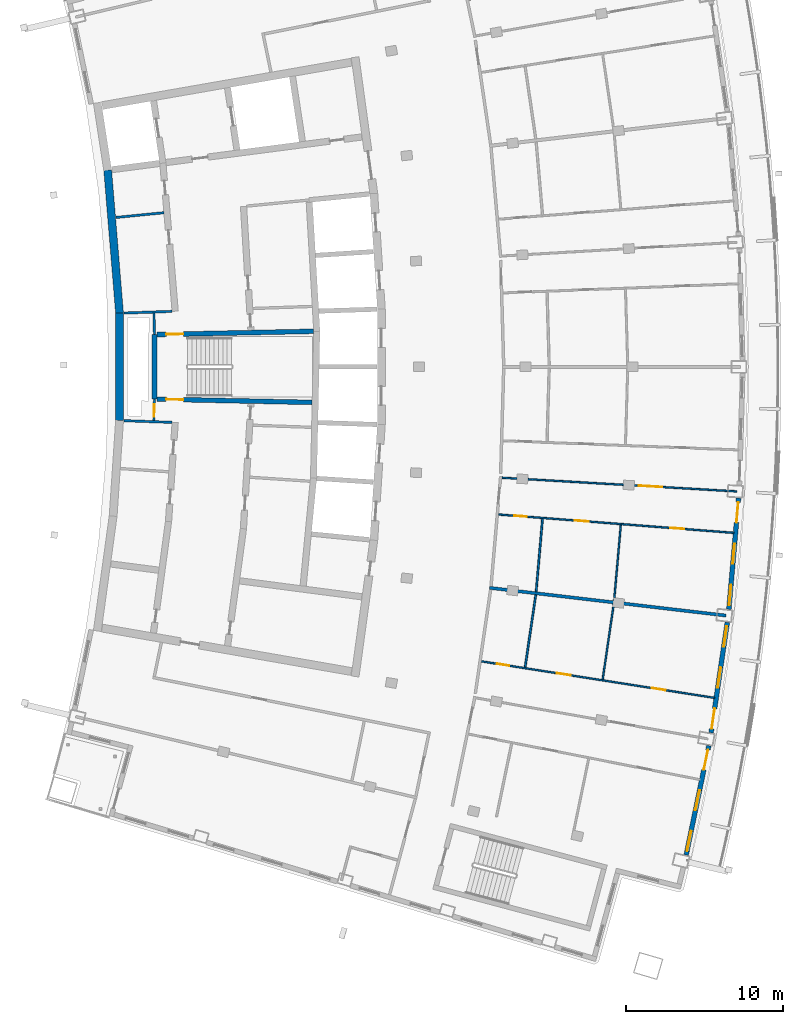
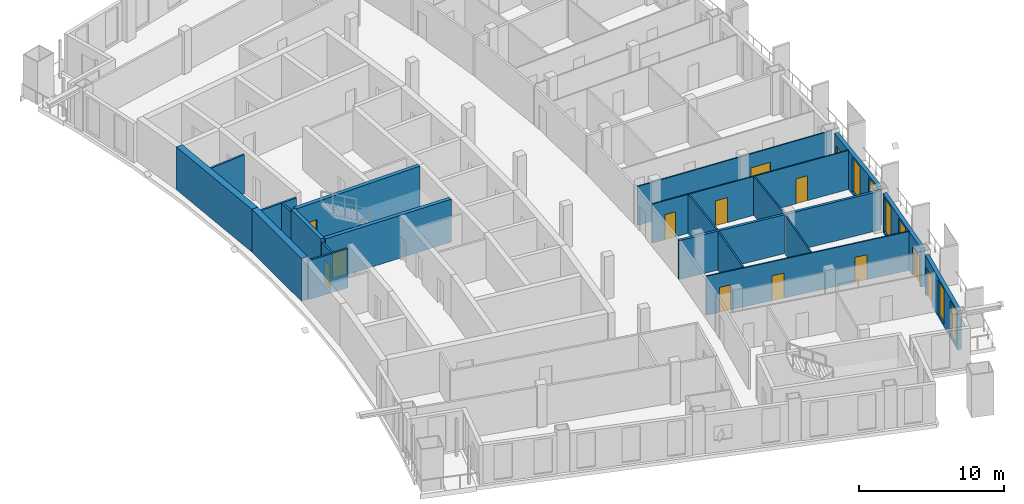
# One storey, part 9 of 17: 21 walls, 13 doors, 6 windows, 19 openings.
"""IFC4 building model written with IfcOpenShell, lengths in metres."""

from ifc_helpers import new_model, si_unit, direction, frame, frame_2d, origin, place, context, subcontext, project, spatial, rectangle, extrude, material, layer, layer_set, type_object, element, fill, save


model = new_model("IFC4")

# Units and contexts
model_context = context("Model", 3, precision=1e-05, world=origin(), true_north=direction((0.0, 1.0)))
body_context = subcontext(model_context, "Body", "Model", "MODEL_VIEW")
ifc_project = project(units=[si_unit("LENGTHUNIT", "METRE"), si_unit("AREAUNIT", "SQUARE_METRE"), si_unit("VOLUMEUNIT", "CUBIC_METRE"), si_unit("PLANEANGLEUNIT", "RADIAN"), si_unit("MASSUNIT", "GRAM", prefix="KILO")], contexts=[model_context])

# Site, building, storey
site_placement = place(None, origin())
site = spatial("IfcSite", under=ifc_project, at=site_placement, CompositionType="ELEMENT")
building_placement = place(site_placement, origin())
building = spatial("IfcBuilding", under=site, at=building_placement, Name="Alderwake Tower", CompositionType="ELEMENT")
storey_placement = place(building_placement, frame((0.0, 0.0, 274.39990234375)))
storey = spatial("IfcBuildingStorey", under=building, at=storey_placement, Name="L68", CompositionType="ELEMENT", Elevation=274.39990234375)

# Wall, opening, door
ifc_material_1 = material(Name="Gypsum shaft wall system, rated")
ifc_layer_1 = layer(ifc_material_1, 0.14990234375)
ifc_layer_set_1 = layer_set([ifc_layer_1], Name="Core room partition 150")
wall_type_1 = type_object("IfcWallType", Name="Core room partition 150", PredefinedType="PARTITIONING", material=ifc_layer_set_1)
wall_1_placement = place(storey_placement, frame((18.918701171875, 58.94384765625, 0.0), z_axis=(0.0, 0.0, 1.0), x_axis=(-0.027811602725, -0.999613182563, 0.0)))
wall_1 = element("IfcWall", 1, at=wall_1_placement, inside=storey, type_object=wall_type_1, Name="CW/L68/PA+24_-37", PredefinedType="PARTITIONING", context=body_context, shape_type="SweptSolid", body=[
    extrude(rectangle(XDim=1.369384765625, YDim=0.14990234375, at=frame_2d((0.6845703125, 0.0))), origin(), (0.0, 0.0, 1.0), 3.280029296875),
])
opening_1_placement = place(wall_1_placement, frame((0.322998046875, 0.0, 0.0)))
opening_1 = element("IfcOpeningElement", 2, at=opening_1_placement, cuts=wall_1, Name="Opening C004", PredefinedType="OPENING", context=body_context, shape_type="SweptSolid", body=[
    extrude(rectangle(XDim=0.800048828125, YDim=2.0, at=frame_2d((0.39990234375, 1.0))), frame((0.0, 0.0849609375, 0.0), z_axis=(0.0, -1.0, 0.0), x_axis=(1.0, 0.0, 0.0)), (0.0, 0.0, 1.0), 0.169921875),
])
ifc_material_2 = material(Name="Painted steel leaf, rated", Category="steel")
door_type_1 = type_object("IfcDoorType", Name="Riser access door 800", OperationType="SINGLE_SWING_LEFT", PredefinedType="DOOR", material=ifc_material_2)
door_1_placement = place(opening_1_placement, origin())
door_1 = element("IfcDoor", 3, at=door_1_placement, inside=storey, type_object=door_type_1, Name="Riser access door", OperationType="SINGLE_SWING_RIGHT", OverallHeight=2.0, OverallWidth=0.800048828125, PredefinedType="DOOR", context=body_context, shape_type="SweptSolid", body=[
    extrude(rectangle(XDim=0.800048828125, YDim=2.0, at=frame_2d((0.39990234375, 1.0))), frame((0.0, 0.02490234375, 0.0), z_axis=(0.0, -1.0, 0.0), x_axis=(1.0, 0.0, 0.0)), (0.0, 0.0, 1.0), 0.050048828125),
])
fill(opening_1, door_1)

# Walls
wall_2_placement = place(storey_placement, frame((18.918701171875, 63.05517578125, 0.0), z_axis=(0.0, 0.0, 1.0), x_axis=(-0.027791791559, 0.99961373356, 0.0)))
element("IfcWall", 4, at=wall_2_placement, inside=storey, type_object=wall_type_1, Name="CW/L68/PA+24_+22", PredefinedType="PARTITIONING", context=body_context, shape_type="SweptSolid", body=[
    extrude(rectangle(XDim=1.370361328125, YDim=0.14990234375, at=frame_2d((0.68505859375, 0.0))), origin(), (0.0, 0.0, 1.0), 3.280029296875),
])
for number, where, z_axis, x_axis, name in (
    (5, (16.969482421875, 57.5673828125, 0.0), (0.0, 0.0, 1.0), (0.999376258731, -0.035314210814, 0.0), "CW/L68/PR-37_+0"),
    (6, (16.969482421875, 64.4326171875, 0.0), (0.0, 0.0, 1.0), (0.999376258731, 0.035314210814, 0.0), "CW/L68/PR+37_+0"),
):
    element("IfcWall", number, at=place(storey_placement, frame(where, z_axis=z_axis, x_axis=x_axis)), inside=storey, type_object=wall_type_1, Name=name, PredefinedType="PARTITIONING", context=body_context, shape_type="SweptSolid", body=[
        extrude(rectangle(XDim=3.069580078125, YDim=0.14990234375, at=frame_2d((1.53466796875, 0.0))), origin(), (0.0, 0.0, 1.0), 3.280029296875),
    ])
wall_3_placement = place(storey_placement, frame((16.4638671875, 70.5322265625, 0.0), z_axis=(0.0, 0.0, 1.0), x_axis=(0.995153954228, 0.098329077004, 0.0)))
element("IfcWall", 7, at=wall_3_placement, inside=storey, type_object=wall_type_1, Name="CW/L68/PR+103_+0", PredefinedType="PARTITIONING", context=body_context, shape_type="SweptSolid", body=[
    extrude(rectangle(XDim=3.06640625, YDim=0.14990234375, at=frame_2d((1.533203125, 0.0))), origin(), (0.0, 0.0, 1.0), 3.280029296875),
])
ifc_material_3 = material(Name="Concrete C70/85", Category="concrete")
ifc_layer_2 = layer(ifc_material_3, 0.5)
ifc_layer_set_2 = layer_set([ifc_layer_2], Name="Core wall outer 500 C70-85")
wall_type_2 = type_object("IfcWallType", Name="Core wall outer 500 C70-85", PredefinedType="SHEAR", material=ifc_layer_set_2)
wall_4_placement = place(storey_placement, frame((16.689453125, 57.568603515625, 0.0), z_axis=(0.0, 0.0, 1.0), x_axis=(0.0, 1.0, 0.0)))
element("IfcWall", 8, at=wall_4_placement, inside=storey, type_object=wall_type_2, Name="Core wall CW.029", PredefinedType="SHEAR", context=body_context, shape_type="SweptSolid", body=[
    extrude(rectangle(XDim=6.86474609375, YDim=0.5, at=frame_2d((3.432373046875, 0.0))), origin(), (0.0, 0.0, 1.0), 3.60009765625),
])
wall_5_placement = place(storey_placement, frame((16.690185546875, 64.41162109375, 0.0), z_axis=(0.0, 0.0, 1.0), x_axis=(-0.082611702064, 0.996581811334, 0.0)))
element("IfcWall", 9, at=wall_5_placement, inside=storey, type_object=wall_type_2, Name="Core wall CW.026", PredefinedType="SHEAR", context=body_context, shape_type="SweptSolid", body=[
    extrude(rectangle(XDim=9.176025390625, YDim=0.5, at=frame_2d((4.587890625, 0.0))), origin(), (0.0, 0.0, 1.0), 3.60009765625),
])
ifc_material_4 = material(Name="Concrete C70/85", Category="concrete")
ifc_layer_3 = layer(ifc_material_4, 0.300048828125)
ifc_layer_set_3 = layer_set([ifc_layer_3], Name="Core wall stair enclosure 300 C70-85")
wall_type_3 = type_object("IfcWallType", Name="Core wall stair enclosure 300 C70-85", PredefinedType="SHEAR", material=ifc_layer_set_3)
wall_6_placement = place(storey_placement, frame((18.918701171875, 58.940673828125, 0.0), z_axis=(0.0, 0.0, 1.0), x_axis=(0.0, 1.0, 0.0)))
element("IfcWall", 10, at=wall_6_placement, inside=storey, type_object=wall_type_3, Name="Core wall CW.024", PredefinedType="SHEAR", context=body_context, shape_type="SweptSolid", body=[
    extrude(rectangle(XDim=4.11962890625, YDim=0.300048828125, at=frame_2d((2.059814453125, 0.0))), origin(), (0.0, 0.0, 1.0), 3.60009765625),
])

# Wall, opening, door
wall_7_placement = place(storey_placement, frame((28.975830078125, 58.733154296875, 0.0), z_axis=(0.0, 0.0, 1.0), x_axis=(-0.999783782948, 0.020793925895, 0.0)))
wall_7 = element("IfcWall", 11, at=wall_7_placement, inside=storey, type_object=wall_type_3, Name="Core wall CW.074", PredefinedType="SHEAR", context=body_context, shape_type="SweptSolid", body=[
    extrude(rectangle(XDim=9.909423828125, YDim=0.300048828125, at=frame_2d((4.95458984375, 0.0))), origin(), (0.0, 0.0, 1.0), 3.60009765625),
])
opening_2_placement = place(wall_7_placement, frame((8.20947265625, 0.0, 0.0)))
opening_2 = element("IfcOpeningElement", 12, at=opening_2_placement, cuts=wall_7, Name="Opening C063", PredefinedType="OPENING", context=body_context, shape_type="SweptSolid", body=[
    extrude(rectangle(XDim=1.10009765625, YDim=2.10009765625, at=frame_2d((0.550048828125, 1.050048828125))), frame((0.0, 0.159912109375, 0.0), z_axis=(0.0, -1.0, 0.0), x_axis=(1.0, 0.0, 0.0)), (0.0, 0.0, 1.0), 0.320068359375),
])
ifc_material_5 = material(Name="Steel-framed fire door leaf", Category="steel")
door_type_2 = type_object("IfcDoorType", Name="Core stair door 1100 fire-rated", OperationType="SINGLE_SWING_LEFT", PredefinedType="DOOR", material=ifc_material_5)
door_2_placement = place(opening_2_placement, origin())
door_2 = element("IfcDoor", 13, at=door_2_placement, inside=storey, type_object=door_type_2, Name="Stair door", OperationType="SINGLE_SWING_LEFT", OverallHeight=2.10009765625, OverallWidth=1.10009765625, PredefinedType="DOOR", context=body_context, shape_type="SweptSolid", body=[
    extrude(rectangle(XDim=1.10009765625, YDim=2.10009765625, at=frame_2d((0.550048828125, 1.050048828125))), frame((0.0, 0.02490234375, 0.0), z_axis=(0.0, -1.0, 0.0), x_axis=(1.0, 0.0, 0.0)), (0.0, 0.0, 1.0), 0.050048828125),
])
fill(opening_2, door_2)

wall_8_placement = place(storey_placement, frame((19.068603515625, 63.060791015625, 0.0), z_axis=(0.0, 0.0, 1.0), x_axis=(0.999783553773, 0.02080494185, 0.0)))
wall_8 = element("IfcWall", 14, at=wall_8_placement, inside=storey, type_object=wall_type_3, Name="Core wall CW.057", PredefinedType="SHEAR", context=body_context, shape_type="SweptSolid", body=[
    extrude(rectangle(XDim=10.009765625, YDim=0.300048828125, at=frame_2d((5.0048828125, 0.0))), origin(), (0.0, 0.0, 1.0), 3.60009765625),
])
opening_3_placement = place(wall_8_placement, frame((0.60009765625, 0.0, 0.0)))
opening_3 = element("IfcOpeningElement", 15, at=opening_3_placement, cuts=wall_8, Name="Opening C064", PredefinedType="OPENING", context=body_context, shape_type="SweptSolid", body=[
    extrude(rectangle(XDim=1.10009765625, YDim=2.10009765625, at=frame_2d((0.550048828125, 1.050048828125))), frame((0.0, 0.159912109375, 0.0), z_axis=(0.0, -1.0, 0.0), x_axis=(1.0, 0.0, 0.0)), (0.0, 0.0, 1.0), 0.320068359375),
])
door_3_placement = place(opening_3_placement, origin())
door_3 = element("IfcDoor", 16, at=door_3_placement, inside=storey, type_object=door_type_2, Name="Stair door", OperationType="SINGLE_SWING_RIGHT", OverallHeight=2.10009765625, OverallWidth=1.10009765625, PredefinedType="DOOR", context=body_context, shape_type="SweptSolid", body=[
    extrude(rectangle(XDim=1.10009765625, YDim=2.10009765625, at=frame_2d((0.550048828125, 1.050048828125))), frame((0.0, 0.02490234375, 0.0), z_axis=(0.0, -1.0, 0.0), x_axis=(1.0, 0.0, 0.0)), (0.0, 0.0, 1.0), 0.050048828125),
])
fill(opening_3, door_3)

# Wall, openings, door, windows
ifc_material_6 = material(Name="Precast concrete C50/60 spandrel panel", Category="concrete")
ifc_layer_4 = layer(ifc_material_6, 0.300048828125)
ifc_layer_set_4 = layer_set([ifc_layer_4], Name="External wall EW1 Precast concrete C50/60 spandrel")
wall_type_4 = type_object("IfcWallType", Name="External wall EW1 Precast concrete C50/60 spandrel", PredefinedType="SOLIDWALL", material=ifc_layer_set_4)
wall_9_placement = place(storey_placement, frame((52.837890625, 29.86279296875, 0.0), z_axis=(0.0, 0.0, 1.0), x_axis=(0.202756509143, 0.979229185635, 0.0)))
wall_9 = element("IfcWall", 17, at=wall_9_placement, inside=storey, type_object=wall_type_4, Name="External wall 12", PredefinedType="SOLIDWALL", context=body_context, shape_type="SweptSolid", body=[
    extrude(rectangle(XDim=7.114990234375, YDim=0.300048828125, at=frame_2d((3.5576171875, 0.0))), origin(), (0.0, 0.0, 1.0), 3.280029296875),
])
opening_4_placement = place(wall_9_placement, frame((0.259521484375, 0.0, 0.199951171875)))
opening_4 = element("IfcOpeningElement", 18, at=opening_4_placement, cuts=wall_9, Name="Opening W1", PredefinedType="OPENING", context=body_context, shape_type="SweptSolid", body=[
    extrude(rectangle(XDim=1.300048828125, YDim=2.89990234375, at=frame_2d((0.64990234375, 1.449951171875))), frame((0.0, 0.159912109375, 0.0), z_axis=(0.0, -1.0, 0.0), x_axis=(1.0, 0.0, 0.0)), (0.0, 0.0, 1.0), 0.320068359375),
])
opening_5_placement = place(wall_9_placement, frame((2.907470703125, 0.0, 0.199951171875)))
opening_5 = element("IfcOpeningElement", 19, at=opening_5_placement, cuts=wall_9, Name="Opening W1", PredefinedType="OPENING", context=body_context, shape_type="SweptSolid", body=[
    extrude(rectangle(XDim=1.300048828125, YDim=2.89990234375, at=frame_2d((0.64990234375, 1.449951171875))), frame((0.0, 0.159912109375, 0.0), z_axis=(0.0, -1.0, 0.0), x_axis=(1.0, 0.0, 0.0)), (0.0, 0.0, 1.0), 0.320068359375),
])
opening_6_placement = place(wall_9_placement, frame((5.555419921875, 0.0, 0.0)))
opening_6 = element("IfcOpeningElement", 20, at=opening_6_placement, cuts=wall_9, Name="Opening D02", PredefinedType="OPENING", context=body_context, shape_type="SweptSolid", body=[
    extrude(rectangle(XDim=1.300048828125, YDim=2.39990234375, at=frame_2d((0.64990234375, 1.199951171875))), frame((0.0, 0.159912109375, 0.0), z_axis=(0.0, -1.0, 0.0), x_axis=(1.0, 0.0, 0.0)), (0.0, 0.0, 1.0), 0.320068359375),
])
ifc_material_7 = material(Name="Bronze tinted glass in aluminium frame", Category="aluminium")
door_type_3 = type_object("IfcDoorType", Name="Balcony door BD sliding", OperationType="SLIDING_TO_LEFT", PredefinedType="DOOR", material=ifc_material_7)
door_4_placement = place(opening_6_placement, origin())
door_4 = element("IfcDoor", 21, at=door_4_placement, inside=storey, type_object=door_type_3, Name="Door D02", OperationType="SLIDING_TO_LEFT", OverallHeight=2.39990234375, OverallWidth=1.300048828125, PredefinedType="DOOR", context=body_context, shape_type="SweptSolid", body=[
    extrude(rectangle(XDim=1.300048828125, YDim=2.39990234375, at=frame_2d((0.64990234375, 1.199951171875))), frame((0.0, 0.02490234375, 0.0), z_axis=(0.0, -1.0, 0.0), x_axis=(1.0, 0.0, 0.0)), (0.0, 0.0, 1.0), 0.050048828125),
])
fill(opening_6, door_4)
ifc_material_8 = material(Name="Bronze tinted glass in aluminium frame", Category="aluminium")
window_type = type_object("IfcWindowType", Name="Window W1 tall fixed and vent", PartitioningType="DOUBLE_PANEL_VERTICAL", PredefinedType="WINDOW", material=ifc_material_8)
window_1_placement = place(opening_4_placement, origin())
window_1 = element("IfcWindow", 22, at=window_1_placement, inside=storey, type_object=window_type, Name="Window W1 tall fixed and vent", OverallHeight=2.89990234375, OverallWidth=1.300048828125, PartitioningType="DOUBLE_PANEL_VERTICAL", PredefinedType="WINDOW", context=body_context, shape_type="SweptSolid", body=[
    extrude(rectangle(XDim=1.300048828125, YDim=2.89990234375, at=frame_2d((0.64990234375, 1.449951171875))), frame((0.0, 0.030029296875, 0.0), z_axis=(0.0, -1.0, 0.0), x_axis=(1.0, 0.0, 0.0)), (0.0, 0.0, 1.0), 0.06005859375),
])
fill(opening_4, window_1)
window_2_placement = place(opening_5_placement, origin())
window_2 = element("IfcWindow", 23, at=window_2_placement, inside=storey, type_object=window_type, Name="Window W1 tall fixed and vent", OverallHeight=2.89990234375, OverallWidth=1.300048828125, PartitioningType="DOUBLE_PANEL_VERTICAL", PredefinedType="WINDOW", context=body_context, shape_type="SweptSolid", body=[
    extrude(rectangle(XDim=1.300048828125, YDim=2.89990234375, at=frame_2d((0.64990234375, 1.449951171875))), frame((0.0, 0.030029296875, 0.0), z_axis=(0.0, -1.0, 0.0), x_axis=(1.0, 0.0, 0.0)), (0.0, 0.0, 1.0), 0.06005859375),
])
fill(opening_5, window_2)

wall_10_placement = place(storey_placement, frame((54.42724609375, 37.66015625, 0.0), z_axis=(0.0, 0.0, 1.0), x_axis=(0.145316175734, 0.98938526827, 0.0)))
wall_10 = element("IfcWall", 24, at=wall_10_placement, inside=storey, type_object=wall_type_4, Name="External wall 13", PredefinedType="SOLIDWALL", context=body_context, shape_type="SweptSolid", body=[
    extrude(rectangle(XDim=7.114990234375, YDim=0.300048828125, at=frame_2d((3.5576171875, 0.0))), origin(), (0.0, 0.0, 1.0), 3.280029296875),
])
opening_7_placement = place(wall_10_placement, frame((0.259521484375, 0.0, 0.0)))
opening_7 = element("IfcOpeningElement", 25, at=opening_7_placement, cuts=wall_10, Name="Opening D03", PredefinedType="OPENING", context=body_context, shape_type="SweptSolid", body=[
    extrude(rectangle(XDim=1.300048828125, YDim=2.39990234375, at=frame_2d((0.64990234375, 1.199951171875))), frame((0.0, 0.159912109375, 0.0), z_axis=(0.0, -1.0, 0.0), x_axis=(1.0, 0.0, 0.0)), (0.0, 0.0, 1.0), 0.320068359375),
])
opening_8_placement = place(wall_10_placement, frame((2.907470703125, 0.0, 0.199951171875)))
opening_8 = element("IfcOpeningElement", 26, at=opening_8_placement, cuts=wall_10, Name="Opening W1", PredefinedType="OPENING", context=body_context, shape_type="SweptSolid", body=[
    extrude(rectangle(XDim=1.300048828125, YDim=2.89990234375, at=frame_2d((0.64990234375, 1.449951171875))), frame((0.0, 0.159912109375, 0.0), z_axis=(0.0, -1.0, 0.0), x_axis=(1.0, 0.0, 0.0)), (0.0, 0.0, 1.0), 0.320068359375),
])
opening_9_placement = place(wall_10_placement, frame((5.555419921875, 0.0, 0.199951171875)))
opening_9 = element("IfcOpeningElement", 27, at=opening_9_placement, cuts=wall_10, Name="Opening W1", PredefinedType="OPENING", context=body_context, shape_type="SweptSolid", body=[
    extrude(rectangle(XDim=1.300048828125, YDim=2.89990234375, at=frame_2d((0.64990234375, 1.449951171875))), frame((0.0, 0.159912109375, 0.0), z_axis=(0.0, -1.0, 0.0), x_axis=(1.0, 0.0, 0.0)), (0.0, 0.0, 1.0), 0.320068359375),
])
door_5_placement = place(opening_7_placement, origin())
door_5 = element("IfcDoor", 28, at=door_5_placement, inside=storey, type_object=door_type_3, Name="Door D03", OperationType="SLIDING_TO_LEFT", OverallHeight=2.39990234375, OverallWidth=1.300048828125, PredefinedType="DOOR", context=body_context, shape_type="SweptSolid", body=[
    extrude(rectangle(XDim=1.300048828125, YDim=2.39990234375, at=frame_2d((0.64990234375, 1.199951171875))), frame((0.0, 0.02490234375, 0.0), z_axis=(0.0, -1.0, 0.0), x_axis=(1.0, 0.0, 0.0)), (0.0, 0.0, 1.0), 0.050048828125),
])
fill(opening_7, door_5)
window_3_placement = place(opening_8_placement, origin())
window_3 = element("IfcWindow", 29, at=window_3_placement, inside=storey, type_object=window_type, Name="Window W1 tall fixed and vent", OverallHeight=2.89990234375, OverallWidth=1.300048828125, PartitioningType="DOUBLE_PANEL_VERTICAL", PredefinedType="WINDOW", context=body_context, shape_type="SweptSolid", body=[
    extrude(rectangle(XDim=1.300048828125, YDim=2.89990234375, at=frame_2d((0.64990234375, 1.449951171875))), frame((0.0, 0.030029296875, 0.0), z_axis=(0.0, -1.0, 0.0), x_axis=(1.0, 0.0, 0.0)), (0.0, 0.0, 1.0), 0.06005859375),
])
fill(opening_8, window_3)
window_4_placement = place(opening_9_placement, origin())
window_4 = element("IfcWindow", 30, at=window_4_placement, inside=storey, type_object=window_type, Name="Window W1 tall fixed and vent", OverallHeight=2.89990234375, OverallWidth=1.300048828125, PartitioningType="DOUBLE_PANEL_VERTICAL", PredefinedType="WINDOW", context=body_context, shape_type="SweptSolid", body=[
    extrude(rectangle(XDim=1.300048828125, YDim=2.89990234375, at=frame_2d((0.64990234375, 1.449951171875))), frame((0.0, 0.030029296875, 0.0), z_axis=(0.0, -1.0, 0.0), x_axis=(1.0, 0.0, 0.0)), (0.0, 0.0, 1.0), 0.06005859375),
])
fill(opening_9, window_4)

wall_11_placement = place(storey_placement, frame((55.559326171875, 45.537109375, 0.0), z_axis=(0.0, 0.0, 1.0), x_axis=(0.08736403326, 0.996176453091, 0.0)))
wall_11 = element("IfcWall", 31, at=wall_11_placement, inside=storey, type_object=wall_type_4, Name="External wall 14", PredefinedType="SOLIDWALL", context=body_context, shape_type="SweptSolid", body=[
    extrude(rectangle(XDim=7.11474609375, YDim=0.300048828125, at=frame_2d((3.557373046875, 0.0))), origin(), (0.0, 0.0, 1.0), 3.280029296875),
])
opening_10_placement = place(wall_11_placement, frame((0.259521484375, 0.0, 0.199951171875)))
opening_10 = element("IfcOpeningElement", 32, at=opening_10_placement, cuts=wall_11, Name="Opening W1", PredefinedType="OPENING", context=body_context, shape_type="SweptSolid", body=[
    extrude(rectangle(XDim=1.300048828125, YDim=2.89990234375, at=frame_2d((0.64990234375, 1.449951171875))), frame((0.0, 0.159912109375, 0.0), z_axis=(0.0, -1.0, 0.0), x_axis=(1.0, 0.0, 0.0)), (0.0, 0.0, 1.0), 0.320068359375),
])
opening_11_placement = place(wall_11_placement, frame((2.907470703125, 0.0, 0.199951171875)))
opening_11 = element("IfcOpeningElement", 33, at=opening_11_placement, cuts=wall_11, Name="Opening W1", PredefinedType="OPENING", context=body_context, shape_type="SweptSolid", body=[
    extrude(rectangle(XDim=1.300048828125, YDim=2.89990234375, at=frame_2d((0.64990234375, 1.449951171875))), frame((0.0, 0.159912109375, 0.0), z_axis=(0.0, -1.0, 0.0), x_axis=(1.0, 0.0, 0.0)), (0.0, 0.0, 1.0), 0.320068359375),
])
opening_12_placement = place(wall_11_placement, frame((5.555419921875, 0.0, 0.0)))
opening_12 = element("IfcOpeningElement", 34, at=opening_12_placement, cuts=wall_11, Name="Opening D04", PredefinedType="OPENING", context=body_context, shape_type="SweptSolid", body=[
    extrude(rectangle(XDim=1.300048828125, YDim=2.39990234375, at=frame_2d((0.64990234375, 1.199951171875))), frame((0.0, 0.159912109375, 0.0), z_axis=(0.0, -1.0, 0.0), x_axis=(1.0, 0.0, 0.0)), (0.0, 0.0, 1.0), 0.320068359375),
])
door_6_placement = place(opening_12_placement, origin())
door_6 = element("IfcDoor", 35, at=door_6_placement, inside=storey, type_object=door_type_3, Name="Door D04", OperationType="SLIDING_TO_LEFT", OverallHeight=2.39990234375, OverallWidth=1.300048828125, PredefinedType="DOOR", context=body_context, shape_type="SweptSolid", body=[
    extrude(rectangle(XDim=1.300048828125, YDim=2.39990234375, at=frame_2d((0.64990234375, 1.199951171875))), frame((0.0, 0.02490234375, 0.0), z_axis=(0.0, -1.0, 0.0), x_axis=(1.0, 0.0, 0.0)), (0.0, 0.0, 1.0), 0.050048828125),
])
fill(opening_12, door_6)
window_5_placement = place(opening_10_placement, origin())
window_5 = element("IfcWindow", 36, at=window_5_placement, inside=storey, type_object=window_type, Name="Window W1 tall fixed and vent", OverallHeight=2.89990234375, OverallWidth=1.300048828125, PartitioningType="DOUBLE_PANEL_VERTICAL", PredefinedType="WINDOW", context=body_context, shape_type="SweptSolid", body=[
    extrude(rectangle(XDim=1.300048828125, YDim=2.89990234375, at=frame_2d((0.64990234375, 1.449951171875))), frame((0.0, 0.030029296875, 0.0), z_axis=(0.0, -1.0, 0.0), x_axis=(1.0, 0.0, 0.0)), (0.0, 0.0, 1.0), 0.06005859375),
])
fill(opening_10, window_5)
window_6_placement = place(opening_11_placement, origin())
window_6 = element("IfcWindow", 37, at=window_6_placement, inside=storey, type_object=window_type, Name="Window W1 tall fixed and vent", OverallHeight=2.89990234375, OverallWidth=1.300048828125, PartitioningType="DOUBLE_PANEL_VERTICAL", PredefinedType="WINDOW", context=body_context, shape_type="SweptSolid", body=[
    extrude(rectangle(XDim=1.300048828125, YDim=2.89990234375, at=frame_2d((0.64990234375, 1.449951171875))), frame((0.0, 0.030029296875, 0.0), z_axis=(0.0, -1.0, 0.0), x_axis=(1.0, 0.0, 0.0)), (0.0, 0.0, 1.0), 0.06005859375),
])
fill(opening_11, window_6)

# Wall
ifc_material_9 = material(Name="Dense block masonry wall", Category="masonry")
ifc_layer_5 = layer(ifc_material_9, 0.199951171875)
ifc_layer_set_5 = layer_set([ifc_layer_5], Name="Party wall 200")
wall_type_5 = type_object("IfcWallType", Name="Party wall 200", PredefinedType="SOLIDWALL", material=ifc_layer_set_5)
wall_12_placement = place(storey_placement, frame((55.3740234375, 45.135009765625, 0.0), z_axis=(0.0, 0.0, 1.0), x_axis=(-0.993199152778, 0.116427844266, 0.0)))
element("IfcWall", 38, at=wall_12_placement, inside=storey, type_object=wall_type_5, Name="WL/L68/W01", PredefinedType="SOLIDWALL", context=body_context, shape_type="SweptSolid", body=[
    extrude(rectangle(XDim=15.1796875, YDim=0.199951171875, at=frame_2d((7.58984375, 0.0))), origin(), (0.0, 0.0, 1.0), 3.280029296875),
])

# Wall, openings, doors
ifc_material_10 = material(Name="Gypsum board on metal studs")
ifc_layer_6 = layer(ifc_material_10, 0.10009765625)
ifc_layer_set_6 = layer_set([ifc_layer_6], Name="Unit partition 100")
wall_type_6 = type_object("IfcWallType", Name="Unit partition 100", PredefinedType="PARTITIONING", material=ifc_layer_set_6)
wall_13_placement = place(storey_placement, frame((39.76904296875, 42.215576171875, 0.0), z_axis=(0.0, 0.0, 1.0), x_axis=(0.987928768537, -0.154908838665, 0.0)))
wall_13 = element("IfcWall", 39, at=wall_13_placement, inside=storey, type_object=wall_type_6, Name="WL/L68/W40", PredefinedType="PARTITIONING", context=body_context, shape_type="SweptSolid", body=[
    extrude(rectangle(XDim=15.063720703125, YDim=0.10009765625, at=frame_2d((7.53173828125, 0.0))), origin(), (0.0, 0.0, 1.0), 3.280029296875),
])
opening_13_placement = place(wall_13_placement, frame((4.8740234375, 0.0, 0.0)))
opening_13 = element("IfcOpeningElement", 40, at=opening_13_placement, cuts=wall_13, Name="Opening R19-U03.5", PredefinedType="OPENING", context=body_context, shape_type="SweptSolid", body=[
    extrude(rectangle(XDim=0.89990234375, YDim=2.10009765625, at=frame_2d((0.449951171875, 1.050048828125))), frame((0.0, 0.06005859375, 0.0), z_axis=(0.0, -1.0, 0.0), x_axis=(1.0, 0.0, 0.0)), (0.0, 0.0, 1.0), 0.1201171875),
])
opening_14_placement = place(wall_13_placement, frame((1.010009765625, 0.0, 0.0)))
opening_14 = element("IfcOpeningElement", 41, at=opening_14_placement, cuts=wall_13, Name="Opening R19-U03.6", PredefinedType="OPENING", context=body_context, shape_type="SweptSolid", body=[
    extrude(rectangle(XDim=0.800048828125, YDim=2.10009765625, at=frame_2d((0.39990234375, 1.050048828125))), frame((0.0, 0.06005859375, 0.0), z_axis=(0.0, -1.0, 0.0), x_axis=(1.0, 0.0, 0.0)), (0.0, 0.0, 1.0), 0.1201171875),
])
opening_15_placement = place(wall_13_placement, frame((10.995849609375, 0.0, 0.0)))
opening_15 = element("IfcOpeningElement", 42, at=opening_15_placement, cuts=wall_13, Name="Opening R19-U03.7", PredefinedType="OPENING", context=body_context, shape_type="SweptSolid", body=[
    extrude(rectangle(XDim=0.89990234375, YDim=2.10009765625, at=frame_2d((0.449951171875, 1.050048828125))), frame((0.0, 0.06005859375, 0.0), z_axis=(0.0, -1.0, 0.0), x_axis=(1.0, 0.0, 0.0)), (0.0, 0.0, 1.0), 0.1201171875),
])
ifc_material_11 = material(Name="Painted timber leaf", Category="wood")
door_type_4 = type_object("IfcDoorType", Name="Bathroom door 800", OperationType="SINGLE_SWING_LEFT", PredefinedType="DOOR", material=ifc_material_11)
door_7_placement = place(opening_14_placement, origin())
door_7 = element("IfcDoor", 43, at=door_7_placement, inside=storey, type_object=door_type_4, Name="DR/L68/U03.6", OperationType="SINGLE_SWING_LEFT", OverallHeight=2.10009765625, OverallWidth=0.800048828125, PredefinedType="DOOR", context=body_context, shape_type="SweptSolid", body=[
    extrude(rectangle(XDim=0.800048828125, YDim=2.10009765625, at=frame_2d((0.39990234375, 1.050048828125))), frame((0.0, 0.02490234375, 0.0), z_axis=(0.0, -1.0, 0.0), x_axis=(1.0, 0.0, 0.0)), (0.0, 0.0, 1.0), 0.050048828125),
])
fill(opening_14, door_7)
ifc_material_12 = material(Name="Painted timber leaf", Category="wood")
door_type_5 = type_object("IfcDoorType", Name="Room door 900", OperationType="SINGLE_SWING_LEFT", PredefinedType="DOOR", material=ifc_material_12)
door_8_placement = place(opening_13_placement, origin())
door_8 = element("IfcDoor", 44, at=door_8_placement, inside=storey, type_object=door_type_5, Name="DR/L68/U03.5", OperationType="SINGLE_SWING_LEFT", OverallHeight=2.10009765625, OverallWidth=0.89990234375, PredefinedType="DOOR", context=body_context, shape_type="SweptSolid", body=[
    extrude(rectangle(XDim=0.89990234375, YDim=2.10009765625, at=frame_2d((0.449951171875, 1.050048828125))), frame((0.0, 0.02490234375, 0.0), z_axis=(0.0, -1.0, 0.0), x_axis=(1.0, 0.0, 0.0)), (0.0, 0.0, 1.0), 0.050048828125),
])
fill(opening_13, door_8)
door_9_placement = place(opening_15_placement, origin())
door_9 = element("IfcDoor", 45, at=door_9_placement, inside=storey, type_object=door_type_5, Name="DR/L68/U03.7", OperationType="SINGLE_SWING_LEFT", OverallHeight=2.10009765625, OverallWidth=0.89990234375, PredefinedType="DOOR", context=body_context, shape_type="SweptSolid", body=[
    extrude(rectangle(XDim=0.89990234375, YDim=2.10009765625, at=frame_2d((0.449951171875, 1.050048828125))), frame((0.0, 0.02490234375, 0.0), z_axis=(0.0, -1.0, 0.0), x_axis=(1.0, 0.0, 0.0)), (0.0, 0.0, 1.0), 0.050048828125),
])
fill(opening_15, door_9)

wall_14_placement = place(storey_placement, frame((55.884033203125, 50.408935546875, 0.0), z_axis=(0.0, 0.0, 1.0), x_axis=(-0.996963596503, 0.077869039079, 0.0)))
wall_14 = element("IfcWall", 46, at=wall_14_placement, inside=storey, type_object=wall_type_6, Name="WL/L68/W42", PredefinedType="PARTITIONING", context=body_context, shape_type="SweptSolid", body=[
    extrude(rectangle(XDim=15.061767578125, YDim=0.10009765625, at=frame_2d((7.53076171875, 0.0))), origin(), (0.0, 0.0, 1.0), 3.280029296875),
])
opening_16_placement = place(wall_14_placement, frame((9.2890625, 0.0, 0.0)))
opening_16 = element("IfcOpeningElement", 47, at=opening_16_placement, cuts=wall_14, Name="Opening R19-U04.1", PredefinedType="OPENING", context=body_context, shape_type="SweptSolid", body=[
    extrude(rectangle(XDim=0.89990234375, YDim=2.10009765625, at=frame_2d((0.449951171875, 1.050048828125))), frame((0.0, 0.06005859375, 0.0), z_axis=(0.0, -1.0, 0.0), x_axis=(1.0, 0.0, 0.0)), (0.0, 0.0, 1.0), 0.1201171875),
])
opening_17_placement = place(wall_14_placement, frame((13.25244140625, 0.0, 0.0)))
opening_17 = element("IfcOpeningElement", 48, at=opening_17_placement, cuts=wall_14, Name="Opening R19-U04.3", PredefinedType="OPENING", context=body_context, shape_type="SweptSolid", body=[
    extrude(rectangle(XDim=0.800048828125, YDim=2.10009765625, at=frame_2d((0.39990234375, 1.050048828125))), frame((0.0, 0.06005859375, 0.0), z_axis=(0.0, -1.0, 0.0), x_axis=(1.0, 0.0, 0.0)), (0.0, 0.0, 1.0), 0.1201171875),
])
opening_18_placement = place(wall_14_placement, frame((3.16748046875, 0.0, 0.0)))
opening_18 = element("IfcOpeningElement", 49, at=opening_18_placement, cuts=wall_14, Name="Opening R19-U04.4", PredefinedType="OPENING", context=body_context, shape_type="SweptSolid", body=[
    extrude(rectangle(XDim=0.89990234375, YDim=2.10009765625, at=frame_2d((0.449951171875, 1.050048828125))), frame((0.0, 0.06005859375, 0.0), z_axis=(0.0, -1.0, 0.0), x_axis=(1.0, 0.0, 0.0)), (0.0, 0.0, 1.0), 0.1201171875),
])
door_10_placement = place(opening_17_placement, origin())
door_10 = element("IfcDoor", 50, at=door_10_placement, inside=storey, type_object=door_type_4, Name="DR/L68/U04.3", OperationType="SINGLE_SWING_LEFT", OverallHeight=2.10009765625, OverallWidth=0.800048828125, PredefinedType="DOOR", context=body_context, shape_type="SweptSolid", body=[
    extrude(rectangle(XDim=0.800048828125, YDim=2.10009765625, at=frame_2d((0.39990234375, 1.050048828125))), frame((0.0, 0.02490234375, 0.0), z_axis=(0.0, -1.0, 0.0), x_axis=(1.0, 0.0, 0.0)), (0.0, 0.0, 1.0), 0.050048828125),
])
fill(opening_17, door_10)
door_11_placement = place(opening_16_placement, origin())
door_11 = element("IfcDoor", 51, at=door_11_placement, inside=storey, type_object=door_type_5, Name="DR/L68/U04.1", OperationType="SINGLE_SWING_LEFT", OverallHeight=2.10009765625, OverallWidth=0.89990234375, PredefinedType="DOOR", context=body_context, shape_type="SweptSolid", body=[
    extrude(rectangle(XDim=0.89990234375, YDim=2.10009765625, at=frame_2d((0.449951171875, 1.050048828125))), frame((0.0, 0.02490234375, 0.0), z_axis=(0.0, -1.0, 0.0), x_axis=(1.0, 0.0, 0.0)), (0.0, 0.0, 1.0), 0.050048828125),
])
fill(opening_16, door_11)
door_12_placement = place(opening_18_placement, origin())
door_12 = element("IfcDoor", 52, at=door_12_placement, inside=storey, type_object=door_type_5, Name="DR/L68/U04.4", OperationType="SINGLE_SWING_LEFT", OverallHeight=2.10009765625, OverallWidth=0.89990234375, PredefinedType="DOOR", context=body_context, shape_type="SweptSolid", body=[
    extrude(rectangle(XDim=0.89990234375, YDim=2.10009765625, at=frame_2d((0.449951171875, 1.050048828125))), frame((0.0, 0.02490234375, 0.0), z_axis=(0.0, -1.0, 0.0), x_axis=(1.0, 0.0, 0.0)), (0.0, 0.0, 1.0), 0.050048828125),
])
fill(opening_18, door_12)

# Walls
wall_15_placement = place(storey_placement, frame((47.50927734375, 41.053466796875, 0.0), z_axis=(0.0, 0.0, 1.0), x_axis=(0.14519530572, 0.989403013537, 0.0)))
element("IfcWall", 53, at=wall_15_placement, inside=storey, type_object=wall_type_6, Name="WL/L68/W48", PredefinedType="PARTITIONING", context=body_context, shape_type="SweptSolid", body=[
    extrude(rectangle(XDim=4.87109375, YDim=0.10009765625, at=frame_2d((2.435546875, 0.0))), origin(), (0.0, 0.0, 1.0), 3.280029296875),
])
wall_16_placement = place(storey_placement, frame((48.23974609375, 46.07177734375, 0.0), z_axis=(0.0, 0.0, 1.0), x_axis=(0.087827973978, 0.99613565692, 0.0)))
element("IfcWall", 54, at=wall_16_placement, inside=storey, type_object=wall_type_6, Name="WL/L68/W49", PredefinedType="PARTITIONING", context=body_context, shape_type="SweptSolid", body=[
    extrude(rectangle(XDim=4.8701171875, YDim=0.10009765625, at=frame_2d((2.43505859375, 0.0))), origin(), (0.0, 0.0, 1.0), 3.280029296875),
])

# Wall, opening, door
wall_17_placement = place(storey_placement, frame((41.074951171875, 53.92919921875, 0.0), z_axis=(0.0, 0.0, 1.0), x_axis=(0.998303956772, -0.058216921022, 0.0)))
wall_17 = element("IfcWall", 55, at=wall_17_placement, inside=storey, type_object=wall_type_6, Name="WL/L68/W56", PredefinedType="PARTITIONING", context=body_context, shape_type="SweptSolid", body=[
    extrude(rectangle(XDim=15.017333984375, YDim=0.10009765625, at=frame_2d((7.5087890625, 0.0))), origin(), (0.0, 0.0, 1.0), 3.280029296875),
])
opening_19_placement = place(wall_17_placement, frame((8.75048828125, 0.0, 0.0)))
opening_19 = element("IfcOpeningElement", 56, at=opening_19_placement, cuts=wall_17, Name="Opening R19-U04.8", PredefinedType="OPENING", context=body_context, shape_type="SweptSolid", body=[
    extrude(rectangle(XDim=1.5, YDim=2.10009765625, at=frame_2d((0.75, 1.050048828125))), frame((0.0, 0.06005859375, 0.0), z_axis=(0.0, -1.0, 0.0), x_axis=(1.0, 0.0, 0.0)), (0.0, 0.0, 1.0), 0.1201171875),
])
ifc_material_13 = material(Name="Painted timber leaves", Category="wood")
door_type_6 = type_object("IfcDoorType", Name="Double leaf door 1500", OperationType="DOUBLE_DOOR_SINGLE_SWING", PredefinedType="DOOR", material=ifc_material_13)
door_13_placement = place(opening_19_placement, origin())
door_13 = element("IfcDoor", 57, at=door_13_placement, inside=storey, type_object=door_type_6, Name="DR/L68/U04.8", OperationType="DOUBLE_DOOR_SINGLE_SWING", OverallHeight=2.10009765625, OverallWidth=1.5, PredefinedType="DOOR", context=body_context, shape_type="SweptSolid", body=[
    extrude(rectangle(XDim=1.5, YDim=2.10009765625, at=frame_2d((0.75, 1.050048828125))), frame((0.0, 0.02490234375, 0.0), z_axis=(0.0, -1.0, 0.0), x_axis=(1.0, 0.0, 0.0)), (0.0, 0.0, 1.0), 0.050048828125),
])
fill(opening_19, door_13)

# Walls
ifc_material_14 = material(Name="Moisture resistant gypsum board on metal studs")
ifc_layer_7 = layer(ifc_material_14, 0.1201171875)
ifc_layer_set_7 = layer_set([ifc_layer_7], Name="Wet room partition 120")
wall_type_7 = type_object("IfcWallType", Name="Wet room partition 120", PredefinedType="PARTITIONING", material=ifc_layer_set_7)
for number, where, z_axis, x_axis, name in (
    (58, (42.562255859375, 41.83056640625, 0.0), (0.0, 0.0, 1.0), (0.145515042, 0.989356039326, 0.0), "WL/L68/W32"),
    (59, (43.265625, 46.65380859375, 0.0), (0.0, 0.0, 1.0), (0.087069112872, 0.996202273428, 0.0), "WL/L68/W33"),
):
    element("IfcWall", number, at=place(storey_placement, frame(where, z_axis=z_axis, x_axis=x_axis)), inside=storey, type_object=wall_type_7, Name=name, PredefinedType="PARTITIONING", context=body_context, shape_type="SweptSolid", body=[
        extrude(rectangle(XDim=4.67431640625, YDim=0.1201171875, at=frame_2d((2.337158203125, 0.0))), origin(), (0.0, 0.0, 1.0), 3.280029296875),
    ])

save(model, "model.ifc")
